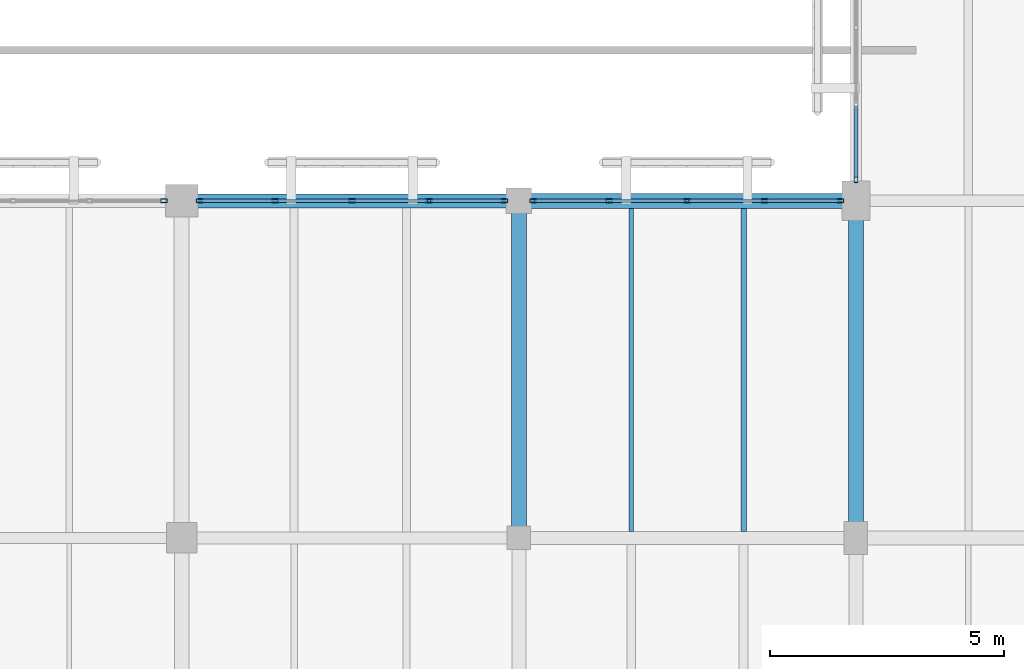
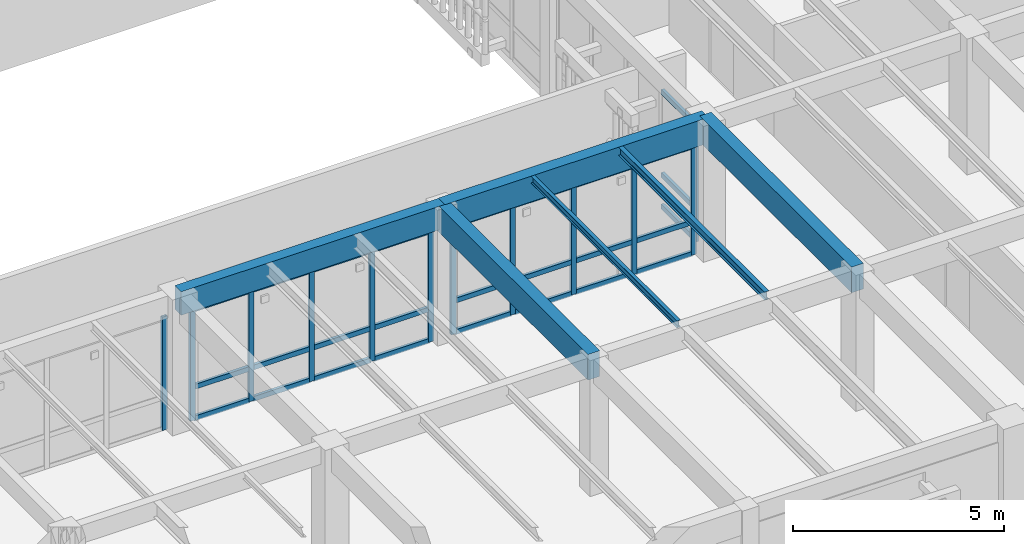
# One storey, part 98 of 170: 39 members, 6 beams, 4 elements without a shape of their own.
"""IFC4 building model written with IfcOpenShell, lengths in metres."""

from ifc_helpers import new_model, si_unit, direction, frame, origin, origin_2d, place, context, subcontext, project, spatial, rectangle, hollow_rectangle, i_section, extrude, material, layer, layer_set, material_profile, profile_set, type_object, element, aggregate, save


model = new_model("IFC4")

# Units and contexts
model_context = context("Model", 3, precision=1e-05, world=origin(), true_north=direction((0.0, 1.0)))
body_context = subcontext(model_context, "Body", "Model", "MODEL_VIEW")
ifc_project = project(units=[si_unit("LENGTHUNIT", "METRE"), si_unit("AREAUNIT", "SQUARE_METRE"), si_unit("VOLUMEUNIT", "CUBIC_METRE"), si_unit("PLANEANGLEUNIT", "RADIAN"), si_unit("MASSUNIT", "GRAM", prefix="KILO")], contexts=[model_context])

# Site, building, storey
site_placement = place(None, origin())
site = spatial("IfcSite", under=ifc_project, at=site_placement, CompositionType="ELEMENT")
building_placement = place(site_placement, origin())
building = spatial("IfcBuilding", under=site, at=building_placement, Name="Mazaris Harbour Polytechnic", CompositionType="ELEMENT")
storey_placement = place(building_placement, frame((0.0, 0.0, 5.39990234375)))
storey = spatial("IfcBuildingStorey", under=building, at=storey_placement, Name="L01", CompositionType="ELEMENT", Elevation=5.39990234375)

# Curtain wall, member
ifc_material_1 = material(Name="Anodised Bronze Aluminium and Low-E Glass", Category="aluminium")
ifc_layer = layer(ifc_material_1, 0.169921875, Name="Anodised Bronze Aluminium and Low-E Glass")
ifc_layer_set = layer_set([ifc_layer], Name="Anodised Bronze Aluminium and Low-E Glass")
curtain_wall_type = type_object("IfcCurtainWallType", Name="Studio North-Light Curtain Wall", PredefinedType="NOTDEFINED", material=ifc_layer_set)
curtain_wall_1_placement = place(storey_placement, origin())
curtain_wall_1 = element("IfcCurtainWall", 1, at=curtain_wall_1_placement, inside=storey, type_object=curtain_wall_type, Name="V5 L01 Curtain Wall 213", PredefinedType="NOTDEFINED")
ifc_material_2 = material(Name="Anodised Bronze Steel S355", Category="steel")
ifc_material_profile_1 = material_profile(ifc_material_2, hollow_rectangle(XDim=0.080078125, YDim=0.139892578125, WallThickness=0.00634765625, at=origin_2d()), Name="RHS 80x140x6.3")
ifc_profile_set_1 = profile_set([ifc_material_profile_1], Name="Anodised Bronze Steel S355")
member_type_1 = type_object("IfcMemberType", Name="Curtain Mullion RHS80x140", PredefinedType="MULLION", material=ifc_profile_set_1)
member_1_placement = place(storey_placement, frame((143.617919921875, 61.199951171875, 0.0), z_axis=(0.0, 0.0, 1.0), x_axis=(0.0, 1.0, 0.0)))
member_1 = element("IfcMember", 2, at=member_1_placement, type_object=member_type_1, Name="CW-03 mullion 5", PredefinedType="MULLION", context=body_context, shape_type="SweptSolid", body=[
    extrude(hollow_rectangle(XDim=0.080078125, YDim=0.139892578125, WallThickness=0.00634765625, at=origin_2d()), origin(), (0.0, 0.0, 1.0), 3.27001953125),
])
aggregate(curtain_wall_1, [member_1])

# Curtain wall, members
curtain_wall_2_placement = place(storey_placement, origin())
curtain_wall_2 = element("IfcCurtainWall", 3, at=curtain_wall_2_placement, inside=storey, type_object=curtain_wall_type, Name="V5 L01 Curtain Wall 214", PredefinedType="NOTDEFINED")
member_2_placement = place(storey_placement, frame((144.382080078125, 61.199951171875, 0.0), z_axis=(0.0, 0.0, 1.0), x_axis=(0.0, 1.0, 0.0)))
member_2 = element("IfcMember", 4, at=member_2_placement, type_object=member_type_1, Name="CW-03 mullion 1", PredefinedType="MULLION", context=body_context, shape_type="SweptSolid", body=[
    extrude(hollow_rectangle(XDim=0.080078125, YDim=0.139892578125, WallThickness=0.00634765625, at=origin_2d()), origin(), (0.0, 0.0, 1.0), 3.22998046875),
])
member_3_placement = place(storey_placement, frame((145.98974609375, 61.199951171875, 0.0), z_axis=(0.0, 0.0, 1.0), x_axis=(0.0, 1.0, 0.0)))
member_3 = element("IfcMember", 5, at=member_3_placement, type_object=member_type_1, Name="CW-03 mullion 2", PredefinedType="MULLION", context=body_context, shape_type="SweptSolid", body=[
    extrude(hollow_rectangle(XDim=0.080078125, YDim=0.139892578125, WallThickness=0.00634765625, at=origin_2d()), origin(), (0.0, 0.0, 1.0), 3.22998046875),
])
member_4_placement = place(storey_placement, frame((147.637451171875, 61.199951171875, 0.0), z_axis=(0.0, 0.0, 1.0), x_axis=(0.0, 1.0, 0.0)))
member_4 = element("IfcMember", 6, at=member_4_placement, type_object=member_type_1, Name="CW-03 mullion 3", PredefinedType="MULLION", context=body_context, shape_type="SweptSolid", body=[
    extrude(hollow_rectangle(XDim=0.080078125, YDim=0.139892578125, WallThickness=0.00634765625, at=origin_2d()), origin(), (0.0, 0.0, 1.0), 3.22998046875),
])
member_5_placement = place(storey_placement, frame((149.28515625, 61.199951171875, 0.0), z_axis=(0.0, 0.0, 1.0), x_axis=(0.0, 1.0, 0.0)))
member_5 = element("IfcMember", 7, at=member_5_placement, type_object=member_type_1, Name="CW-03 mullion 4", PredefinedType="MULLION", context=body_context, shape_type="SweptSolid", body=[
    extrude(hollow_rectangle(XDim=0.080078125, YDim=0.139892578125, WallThickness=0.00634765625, at=origin_2d()), origin(), (0.0, 0.0, 1.0), 3.22998046875),
])
member_6_placement = place(storey_placement, frame((150.89306640625, 61.199951171875, 0.0), z_axis=(0.0, 0.0, 1.0), x_axis=(0.0, 1.0, 0.0)))
member_6 = element("IfcMember", 8, at=member_6_placement, type_object=member_type_1, Name="CW-03 mullion 5", PredefinedType="MULLION", context=body_context, shape_type="SweptSolid", body=[
    extrude(hollow_rectangle(XDim=0.080078125, YDim=0.139892578125, WallThickness=0.00634765625, at=origin_2d()), origin(), (0.0, 0.0, 1.0), 3.22998046875),
])

curtain_wall_3_placement = place(storey_placement, origin())
curtain_wall_3 = element("IfcCurtainWall", 9, at=curtain_wall_3_placement, inside=storey, type_object=curtain_wall_type, Name="V5 L01 Curtain Wall 215", PredefinedType="NOTDEFINED")
member_7_placement = place(storey_placement, frame((151.507080078125, 61.199951171875, 0.0), z_axis=(0.0, 0.0, 1.0), x_axis=(0.0, 1.0, 0.0)))
member_7 = element("IfcMember", 10, at=member_7_placement, type_object=member_type_1, Name="CW-03 mullion 1", PredefinedType="MULLION", context=body_context, shape_type="SweptSolid", body=[
    extrude(hollow_rectangle(XDim=0.080078125, YDim=0.139892578125, WallThickness=0.00634765625, at=origin_2d()), origin(), (0.0, 0.0, 1.0), 3.170166015625),
])
member_8_placement = place(storey_placement, frame((153.127197265625, 61.199951171875, 0.0), z_axis=(0.0, 0.0, 1.0), x_axis=(0.0, 1.0, 0.0)))
member_8 = element("IfcMember", 11, at=member_8_placement, type_object=member_type_1, Name="CW-03 mullion 2", PredefinedType="MULLION", context=body_context, shape_type="SweptSolid", body=[
    extrude(hollow_rectangle(XDim=0.080078125, YDim=0.139892578125, WallThickness=0.00634765625, at=origin_2d()), origin(), (0.0, 0.0, 1.0), 3.170166015625),
])
member_9_placement = place(storey_placement, frame((154.78759765625, 61.199951171875, 0.0), z_axis=(0.0, 0.0, 1.0), x_axis=(0.0, 1.0, 0.0)))
member_9 = element("IfcMember", 12, at=member_9_placement, type_object=member_type_1, Name="CW-03 mullion 3", PredefinedType="MULLION", context=body_context, shape_type="SweptSolid", body=[
    extrude(hollow_rectangle(XDim=0.080078125, YDim=0.139892578125, WallThickness=0.00634765625, at=origin_2d()), origin(), (0.0, 0.0, 1.0), 3.170166015625),
])
member_10_placement = place(storey_placement, frame((156.44775390625, 61.199951171875, 0.0), z_axis=(0.0, 0.0, 1.0), x_axis=(0.0, 1.0, 0.0)))
member_10 = element("IfcMember", 13, at=member_10_placement, type_object=member_type_1, Name="CW-03 mullion 4", PredefinedType="MULLION", context=body_context, shape_type="SweptSolid", body=[
    extrude(hollow_rectangle(XDim=0.080078125, YDim=0.139892578125, WallThickness=0.00634765625, at=origin_2d()), origin(), (0.0, 0.0, 1.0), 3.170166015625),
])
member_11_placement = place(storey_placement, frame((158.068115234375, 61.199951171875, 0.0), z_axis=(0.0, 0.0, 1.0), x_axis=(0.0, 1.0, 0.0)))
member_11 = element("IfcMember", 14, at=member_11_placement, type_object=member_type_1, Name="CW-03 mullion 5", PredefinedType="MULLION", context=body_context, shape_type="SweptSolid", body=[
    extrude(hollow_rectangle(XDim=0.080078125, YDim=0.139892578125, WallThickness=0.00634765625, at=origin_2d()), origin(), (0.0, 0.0, 1.0), 3.170166015625),
])

# Curtain wall, member
curtain_wall_4_placement = place(storey_placement, origin())
curtain_wall_4 = element("IfcCurtainWall", 15, at=curtain_wall_4_placement, inside=storey, type_object=curtain_wall_type, Name="V5 L01 Curtain Wall 223", PredefinedType="NOTDEFINED")
member_12_placement = place(storey_placement, frame((158.39990234375, 61.656982421875, 0.0), z_axis=(0.0, 0.0, 1.0), x_axis=(1.0, 0.0, 0.0)))
member_12 = element("IfcMember", 16, at=member_12_placement, type_object=member_type_1, Name="CW-03 mullion 5", PredefinedType="MULLION", context=body_context, shape_type="SweptSolid", body=[
    extrude(hollow_rectangle(XDim=0.080078125, YDim=0.139892578125, WallThickness=0.00634765625, at=origin_2d()), origin(), (0.0, 0.0, 1.0), 3.39013671875),
])

# Member
ifc_material_3 = material(Name="Anodised Bronze Steel S355", Category="steel")
ifc_material_profile_2 = material_profile(ifc_material_3, hollow_rectangle(XDim=0.080078125, YDim=0.139892578125, WallThickness=0.00634765625, at=origin_2d()), Name="RHS 80x140x6.3")
ifc_profile_set_2 = profile_set([ifc_material_profile_2], Name="Anodised Bronze Steel S355")
member_type_2 = type_object("IfcMemberType", Name="Curtain Transom RHS80x140", PredefinedType="USERDEFINED", material=ifc_profile_set_2)
member_13_placement = place(storey_placement, frame((144.422119140625, 61.199951171875, 0.0400390625), z_axis=(1.0, 0.0, 0.0), x_axis=(0.0, 1.0, 0.0)))
member_13 = element("IfcMember", 17, at=member_13_placement, type_object=member_type_2, Name="CW-03 transom 1.1", ObjectType="TRANSOM", PredefinedType="USERDEFINED", context=body_context, shape_type="SweptSolid", body=[
    extrude(hollow_rectangle(XDim=0.080078125, YDim=0.139892578125, WallThickness=0.00634765625, at=origin_2d()), origin(), (0.0, 0.0, 1.0), 1.527587890625),
])

member_14_placement = place(storey_placement, frame((144.422119140625, 61.199951171875, 0.9501953125), z_axis=(1.0, 0.0, 0.0), x_axis=(0.0, 1.0, 0.0)))
member_14 = element("IfcMember", 18, at=member_14_placement, type_object=member_type_2, Name="CW-03 transom 1.2", ObjectType="TRANSOM", PredefinedType="USERDEFINED", context=body_context, shape_type="SweptSolid", body=[
    extrude(hollow_rectangle(XDim=0.080078125, YDim=0.139892578125, WallThickness=0.00634765625, at=origin_2d()), origin(), (0.0, 0.0, 1.0), 1.527587890625),
])

member_15_placement = place(storey_placement, frame((144.422119140625, 61.199951171875, 3.190185546875), z_axis=(1.0, 0.0, 0.0), x_axis=(0.0, 1.0, 0.0)))
member_15 = element("IfcMember", 19, at=member_15_placement, type_object=member_type_2, Name="CW-03 transom 1.3", ObjectType="TRANSOM", PredefinedType="USERDEFINED", context=body_context, shape_type="SweptSolid", body=[
    extrude(hollow_rectangle(XDim=0.080078125, YDim=0.139892578125, WallThickness=0.00634765625, at=origin_2d()), origin(), (0.0, 0.0, 1.0), 1.527587890625),
])

member_16_placement = place(storey_placement, frame((146.02978515625, 61.199951171875, 0.0400390625), z_axis=(1.0, 0.0, 0.0), x_axis=(0.0, 1.0, 0.0)))
member_16 = element("IfcMember", 20, at=member_16_placement, type_object=member_type_2, Name="CW-03 transom 2.1", ObjectType="TRANSOM", PredefinedType="USERDEFINED", context=body_context, shape_type="SweptSolid", body=[
    extrude(hollow_rectangle(XDim=0.080078125, YDim=0.139892578125, WallThickness=0.00634765625, at=origin_2d()), origin(), (0.0, 0.0, 1.0), 1.567626953125),
])

member_17_placement = place(storey_placement, frame((146.02978515625, 61.199951171875, 0.9501953125), z_axis=(1.0, 0.0, 0.0), x_axis=(0.0, 1.0, 0.0)))
member_17 = element("IfcMember", 21, at=member_17_placement, type_object=member_type_2, Name="CW-03 transom 2.2", ObjectType="TRANSOM", PredefinedType="USERDEFINED", context=body_context, shape_type="SweptSolid", body=[
    extrude(hollow_rectangle(XDim=0.080078125, YDim=0.139892578125, WallThickness=0.00634765625, at=origin_2d()), origin(), (0.0, 0.0, 1.0), 1.567626953125),
])

member_18_placement = place(storey_placement, frame((146.02978515625, 61.199951171875, 3.190185546875), z_axis=(1.0, 0.0, 0.0), x_axis=(0.0, 1.0, 0.0)))
member_18 = element("IfcMember", 22, at=member_18_placement, type_object=member_type_2, Name="CW-03 transom 2.3", ObjectType="TRANSOM", PredefinedType="USERDEFINED", context=body_context, shape_type="SweptSolid", body=[
    extrude(hollow_rectangle(XDim=0.080078125, YDim=0.139892578125, WallThickness=0.00634765625, at=origin_2d()), origin(), (0.0, 0.0, 1.0), 1.567626953125),
])

member_19_placement = place(storey_placement, frame((147.677490234375, 61.199951171875, 0.0400390625), z_axis=(1.0, 0.0, 0.0), x_axis=(0.0, 1.0, 0.0)))
member_19 = element("IfcMember", 23, at=member_19_placement, type_object=member_type_2, Name="CW-03 transom 3.1", ObjectType="TRANSOM", PredefinedType="USERDEFINED", context=body_context, shape_type="SweptSolid", body=[
    extrude(hollow_rectangle(XDim=0.080078125, YDim=0.139892578125, WallThickness=0.00634765625, at=origin_2d()), origin(), (0.0, 0.0, 1.0), 1.56787109375),
])

member_20_placement = place(storey_placement, frame((147.677490234375, 61.199951171875, 0.9501953125), z_axis=(1.0, 0.0, 0.0), x_axis=(0.0, 1.0, 0.0)))
member_20 = element("IfcMember", 24, at=member_20_placement, type_object=member_type_2, Name="CW-03 transom 3.2", ObjectType="TRANSOM", PredefinedType="USERDEFINED", context=body_context, shape_type="SweptSolid", body=[
    extrude(hollow_rectangle(XDim=0.080078125, YDim=0.139892578125, WallThickness=0.00634765625, at=origin_2d()), origin(), (0.0, 0.0, 1.0), 1.56787109375),
])

member_21_placement = place(storey_placement, frame((147.677490234375, 61.199951171875, 3.190185546875), z_axis=(1.0, 0.0, 0.0), x_axis=(0.0, 1.0, 0.0)))
member_21 = element("IfcMember", 25, at=member_21_placement, type_object=member_type_2, Name="CW-03 transom 3.3", ObjectType="TRANSOM", PredefinedType="USERDEFINED", context=body_context, shape_type="SweptSolid", body=[
    extrude(hollow_rectangle(XDim=0.080078125, YDim=0.139892578125, WallThickness=0.00634765625, at=origin_2d()), origin(), (0.0, 0.0, 1.0), 1.56787109375),
])

member_22_placement = place(storey_placement, frame((149.3251953125, 61.199951171875, 0.0400390625), z_axis=(1.0, 0.0, 0.0), x_axis=(0.0, 1.0, 0.0)))
member_22 = element("IfcMember", 26, at=member_22_placement, type_object=member_type_2, Name="CW-03 transom 4.1", ObjectType="TRANSOM", PredefinedType="USERDEFINED", context=body_context, shape_type="SweptSolid", body=[
    extrude(hollow_rectangle(XDim=0.080078125, YDim=0.139892578125, WallThickness=0.00634765625, at=origin_2d()), origin(), (0.0, 0.0, 1.0), 1.52783203125),
])

member_23_placement = place(storey_placement, frame((149.3251953125, 61.199951171875, 0.9501953125), z_axis=(1.0, 0.0, 0.0), x_axis=(0.0, 1.0, 0.0)))
member_23 = element("IfcMember", 27, at=member_23_placement, type_object=member_type_2, Name="CW-03 transom 4.2", ObjectType="TRANSOM", PredefinedType="USERDEFINED", context=body_context, shape_type="SweptSolid", body=[
    extrude(hollow_rectangle(XDim=0.080078125, YDim=0.139892578125, WallThickness=0.00634765625, at=origin_2d()), origin(), (0.0, 0.0, 1.0), 1.52783203125),
])

member_24_placement = place(storey_placement, frame((149.3251953125, 61.199951171875, 3.190185546875), z_axis=(1.0, 0.0, 0.0), x_axis=(0.0, 1.0, 0.0)))
member_24 = element("IfcMember", 28, at=member_24_placement, type_object=member_type_2, Name="CW-03 transom 4.3", ObjectType="TRANSOM", PredefinedType="USERDEFINED", context=body_context, shape_type="SweptSolid", body=[
    extrude(hollow_rectangle(XDim=0.080078125, YDim=0.139892578125, WallThickness=0.00634765625, at=origin_2d()), origin(), (0.0, 0.0, 1.0), 1.52783203125),
])

aggregate(curtain_wall_2, [member_2, member_3, member_4, member_5, member_6, member_13, member_14, member_15, member_16, member_17, member_18, member_19, member_20, member_21, member_22, member_23, member_24])

member_25_placement = place(storey_placement, frame((151.547119140625, 61.199951171875, 0.0400390625), z_axis=(1.0, 0.0, 0.0), x_axis=(0.0, 1.0, 0.0)))
member_25 = element("IfcMember", 29, at=member_25_placement, type_object=member_type_2, Name="CW-03 transom 1.1", ObjectType="TRANSOM", PredefinedType="USERDEFINED", context=body_context, shape_type="SweptSolid", body=[
    extrude(hollow_rectangle(XDim=0.080078125, YDim=0.139892578125, WallThickness=0.00634765625, at=origin_2d()), origin(), (0.0, 0.0, 1.0), 1.5400390625),
])

member_26_placement = place(storey_placement, frame((151.547119140625, 61.199951171875, 0.9501953125), z_axis=(1.0, 0.0, 0.0), x_axis=(0.0, 1.0, 0.0)))
member_26 = element("IfcMember", 30, at=member_26_placement, type_object=member_type_2, Name="CW-03 transom 1.2", ObjectType="TRANSOM", PredefinedType="USERDEFINED", context=body_context, shape_type="SweptSolid", body=[
    extrude(hollow_rectangle(XDim=0.080078125, YDim=0.139892578125, WallThickness=0.00634765625, at=origin_2d()), origin(), (0.0, 0.0, 1.0), 1.5400390625),
])

member_27_placement = place(storey_placement, frame((151.547119140625, 61.199951171875, 3.130126953125), z_axis=(1.0, 0.0, 0.0), x_axis=(0.0, 1.0, 0.0)))
member_27 = element("IfcMember", 31, at=member_27_placement, type_object=member_type_2, Name="CW-03 transom 1.3", ObjectType="TRANSOM", PredefinedType="USERDEFINED", context=body_context, shape_type="SweptSolid", body=[
    extrude(hollow_rectangle(XDim=0.080078125, YDim=0.139892578125, WallThickness=0.00634765625, at=origin_2d()), origin(), (0.0, 0.0, 1.0), 1.5400390625),
])

member_28_placement = place(storey_placement, frame((153.167236328125, 61.199951171875, 0.0400390625), z_axis=(1.0, 0.0, 0.0), x_axis=(0.0, 1.0, 0.0)))
member_28 = element("IfcMember", 32, at=member_28_placement, type_object=member_type_2, Name="CW-03 transom 2.1", ObjectType="TRANSOM", PredefinedType="USERDEFINED", context=body_context, shape_type="SweptSolid", body=[
    extrude(hollow_rectangle(XDim=0.080078125, YDim=0.139892578125, WallThickness=0.00634765625, at=origin_2d()), origin(), (0.0, 0.0, 1.0), 1.580322265625),
])

member_29_placement = place(storey_placement, frame((153.167236328125, 61.199951171875, 0.9501953125), z_axis=(1.0, 0.0, 0.0), x_axis=(0.0, 1.0, 0.0)))
member_29 = element("IfcMember", 33, at=member_29_placement, type_object=member_type_2, Name="CW-03 transom 2.2", ObjectType="TRANSOM", PredefinedType="USERDEFINED", context=body_context, shape_type="SweptSolid", body=[
    extrude(hollow_rectangle(XDim=0.080078125, YDim=0.139892578125, WallThickness=0.00634765625, at=origin_2d()), origin(), (0.0, 0.0, 1.0), 1.580322265625),
])

member_30_placement = place(storey_placement, frame((153.167236328125, 61.199951171875, 3.130126953125), z_axis=(1.0, 0.0, 0.0), x_axis=(0.0, 1.0, 0.0)))
member_30 = element("IfcMember", 34, at=member_30_placement, type_object=member_type_2, Name="CW-03 transom 2.3", ObjectType="TRANSOM", PredefinedType="USERDEFINED", context=body_context, shape_type="SweptSolid", body=[
    extrude(hollow_rectangle(XDim=0.080078125, YDim=0.139892578125, WallThickness=0.00634765625, at=origin_2d()), origin(), (0.0, 0.0, 1.0), 1.580322265625),
])

member_31_placement = place(storey_placement, frame((154.827392578125, 61.199951171875, 0.0400390625), z_axis=(1.0, 0.0, 0.0), x_axis=(0.0, 1.0, 0.0)))
member_31 = element("IfcMember", 35, at=member_31_placement, type_object=member_type_2, Name="CW-03 transom 3.1", ObjectType="TRANSOM", PredefinedType="USERDEFINED", context=body_context, shape_type="SweptSolid", body=[
    extrude(hollow_rectangle(XDim=0.080078125, YDim=0.139892578125, WallThickness=0.00634765625, at=origin_2d()), origin(), (0.0, 0.0, 1.0), 1.580322265625),
])

member_32_placement = place(storey_placement, frame((154.827392578125, 61.199951171875, 0.9501953125), z_axis=(1.0, 0.0, 0.0), x_axis=(0.0, 1.0, 0.0)))
member_32 = element("IfcMember", 36, at=member_32_placement, type_object=member_type_2, Name="CW-03 transom 3.2", ObjectType="TRANSOM", PredefinedType="USERDEFINED", context=body_context, shape_type="SweptSolid", body=[
    extrude(hollow_rectangle(XDim=0.080078125, YDim=0.139892578125, WallThickness=0.00634765625, at=origin_2d()), origin(), (0.0, 0.0, 1.0), 1.580322265625),
])

member_33_placement = place(storey_placement, frame((154.827392578125, 61.199951171875, 3.130126953125), z_axis=(1.0, 0.0, 0.0), x_axis=(0.0, 1.0, 0.0)))
member_33 = element("IfcMember", 37, at=member_33_placement, type_object=member_type_2, Name="CW-03 transom 3.3", ObjectType="TRANSOM", PredefinedType="USERDEFINED", context=body_context, shape_type="SweptSolid", body=[
    extrude(hollow_rectangle(XDim=0.080078125, YDim=0.139892578125, WallThickness=0.00634765625, at=origin_2d()), origin(), (0.0, 0.0, 1.0), 1.580322265625),
])

member_34_placement = place(storey_placement, frame((156.48779296875, 61.199951171875, 0.0400390625), z_axis=(1.0, 0.0, 0.0), x_axis=(0.0, 1.0, 0.0)))
member_34 = element("IfcMember", 38, at=member_34_placement, type_object=member_type_2, Name="CW-03 transom 4.1", ObjectType="TRANSOM", PredefinedType="USERDEFINED", context=body_context, shape_type="SweptSolid", body=[
    extrude(hollow_rectangle(XDim=0.080078125, YDim=0.139892578125, WallThickness=0.00634765625, at=origin_2d()), origin(), (0.0, 0.0, 1.0), 1.540283203125),
])

member_35_placement = place(storey_placement, frame((156.48779296875, 61.199951171875, 0.9501953125), z_axis=(1.0, 0.0, 0.0), x_axis=(0.0, 1.0, 0.0)))
member_35 = element("IfcMember", 39, at=member_35_placement, type_object=member_type_2, Name="CW-03 transom 4.2", ObjectType="TRANSOM", PredefinedType="USERDEFINED", context=body_context, shape_type="SweptSolid", body=[
    extrude(hollow_rectangle(XDim=0.080078125, YDim=0.139892578125, WallThickness=0.00634765625, at=origin_2d()), origin(), (0.0, 0.0, 1.0), 1.540283203125),
])

member_36_placement = place(storey_placement, frame((156.48779296875, 61.199951171875, 3.130126953125), z_axis=(1.0, 0.0, 0.0), x_axis=(0.0, 1.0, 0.0)))
member_36 = element("IfcMember", 40, at=member_36_placement, type_object=member_type_2, Name="CW-03 transom 4.3", ObjectType="TRANSOM", PredefinedType="USERDEFINED", context=body_context, shape_type="SweptSolid", body=[
    extrude(hollow_rectangle(XDim=0.080078125, YDim=0.139892578125, WallThickness=0.00634765625, at=origin_2d()), origin(), (0.0, 0.0, 1.0), 1.540283203125),
])

aggregate(curtain_wall_3, [member_7, member_8, member_9, member_10, member_11, member_25, member_26, member_27, member_28, member_29, member_30, member_31, member_32, member_33, member_34, member_35, member_36])

member_37_placement = place(storey_placement, frame((158.39990234375, 63.218505859375, 0.0400390625), z_axis=(0.0, -1.0, 0.0), x_axis=(1.0, 0.0, 0.0)))
member_37 = element("IfcMember", 41, at=member_37_placement, type_object=member_type_2, Name="CW-03 transom 4.1", ObjectType="TRANSOM", PredefinedType="USERDEFINED", context=body_context, shape_type="SweptSolid", body=[
    extrude(hollow_rectangle(XDim=0.080078125, YDim=0.139892578125, WallThickness=0.00634765625, at=origin_2d()), origin(), (0.0, 0.0, 1.0), 1.521484375),
])

member_38_placement = place(storey_placement, frame((158.39990234375, 63.218505859375, 0.9501953125), z_axis=(0.0, -1.0, 0.0), x_axis=(1.0, 0.0, 0.0)))
member_38 = element("IfcMember", 42, at=member_38_placement, type_object=member_type_2, Name="CW-03 transom 4.2", ObjectType="TRANSOM", PredefinedType="USERDEFINED", context=body_context, shape_type="SweptSolid", body=[
    extrude(hollow_rectangle(XDim=0.080078125, YDim=0.139892578125, WallThickness=0.00634765625, at=origin_2d()), origin(), (0.0, 0.0, 1.0), 1.521484375),
])

member_39_placement = place(storey_placement, frame((158.39990234375, 63.218505859375, 3.35009765625), z_axis=(0.0, -1.0, 0.0), x_axis=(1.0, 0.0, 0.0)))
member_39 = element("IfcMember", 43, at=member_39_placement, type_object=member_type_2, Name="CW-03 transom 4.3", ObjectType="TRANSOM", PredefinedType="USERDEFINED", context=body_context, shape_type="SweptSolid", body=[
    extrude(hollow_rectangle(XDim=0.080078125, YDim=0.139892578125, WallThickness=0.00634765625, at=origin_2d()), origin(), (0.0, 0.0, 1.0), 1.521484375),
])

aggregate(curtain_wall_4, [member_12, member_37, member_38, member_39])

# Beams
ifc_material_4 = material(Name="Glulam GL32h", Category="wood")
ifc_material_profile_3 = material_profile(ifc_material_4, rectangle(XDim=0.300048828125, YDim=0.679931640625, at=origin_2d()), Name="RECT300x680")
ifc_profile_set_3 = profile_set([ifc_material_profile_3], Name="Glulam GL32h")
beam_type_1 = type_object("IfcBeamType", Name="Glulam Girder 300x680", PredefinedType="BEAM", material=ifc_profile_set_3)
beam_1_placement = place(storey_placement, frame((144.0, 61.199951171875, 3.580078125), z_axis=(1.0, 0.0, 0.0), x_axis=(0.0, 1.0, 0.0)))
element("IfcBeam", 44, at=beam_1_placement, inside=storey, type_object=beam_type_1, Name="V5 L01 Girder 2923", PredefinedType="BEAM", context=body_context, shape_type="SweptSolid", body=[
    extrude(rectangle(XDim=0.300048828125, YDim=0.679931640625, at=origin_2d()), origin(), (0.0, 0.0, 1.0), 7.199951171875),
])
ifc_material_5 = material(Name="Glulam GL32h", Category="wood")
ifc_material_profile_4 = material_profile(ifc_material_5, rectangle(XDim=0.320068359375, YDim=0.739990234375, at=origin_2d()), Name="RECT320x740")
ifc_profile_set_4 = profile_set([ifc_material_profile_4], Name="Glulam GL32h")
beam_type_2 = type_object("IfcBeamType", Name="Glulam Girder 320x740", PredefinedType="BEAM", material=ifc_profile_set_4)
for number, where, z_axis, x_axis, name in (
    (45, (151.199951171875, 61.199951171875, 3.550048828125), (1.0, 0.0, 0.0), (0.0, 1.0, 0.0), "V5 L01 Girder 2924"),
    (46, (151.199951171875, 54.0, 3.550048828125), (0.0, 1.0, 0.0), (-1.0, 0.0, 0.0), "V5 L01 Tie Girder 2999"),
    (47, (158.39990234375, 54.0, 3.550048828125), (0.0, 1.0, 0.0), (-1.0, 0.0, 0.0), "V5 L01 Tie Girder 3004"),
):
    element("IfcBeam", number, at=place(storey_placement, frame(where, z_axis=z_axis, x_axis=x_axis)), inside=storey, type_object=beam_type_2, Name=name, PredefinedType="BEAM", context=body_context, shape_type="SweptSolid", body=[
        extrude(rectangle(XDim=0.320068359375, YDim=0.739990234375, at=origin_2d()), origin(), (0.0, 0.0, 1.0), 7.199951171875),
    ])
ifc_material_6 = material(Name="Steel S355", Category="steel")
ifc_material_profile_5 = material_profile(ifc_material_6, i_section(OverallWidth=0.10009765625, OverallDepth=0.199951171875, WebThickness=0.005615234375, FlangeThickness=0.008544921875, FilletRadius=0.011962890625, at=origin_2d()), Name="IPE 200")
ifc_profile_set_5 = profile_set([ifc_material_profile_5], Name="Steel S355")
beam_type_3 = type_object("IfcBeamType", Name="Steel Joist IPE200", PredefinedType="JOIST", material=ifc_profile_set_5)
beam_2_placement = place(storey_placement, frame((153.60009765625, 54.139892578125, 3.820068359375), z_axis=(0.0, 1.0, 0.0), x_axis=(-1.0, 0.0, 0.0)))
element("IfcBeam", 48, at=beam_2_placement, inside=storey, type_object=beam_type_3, Name="V5 L01 Floor Joist 3080", PredefinedType="JOIST", context=body_context, shape_type="SweptSolid", body=[
    extrude(i_section(OverallWidth=0.10009765625, OverallDepth=0.199951171875, WebThickness=0.005615234375, FlangeThickness=0.008544921875, FilletRadius=0.011962890625, at=origin_2d()), origin(), (0.0, 0.0, 1.0), 6.900146484375),
])
ifc_material_7 = material(Name="Steel S355", Category="steel")
ifc_material_profile_6 = material_profile(ifc_material_7, i_section(OverallWidth=0.1201171875, OverallDepth=0.239990234375, WebThickness=0.006103515625, FlangeThickness=0.009765625, FilletRadius=0.014892578125, at=origin_2d()), Name="IPE 240")
ifc_profile_set_6 = profile_set([ifc_material_profile_6], Name="Steel S355")
beam_type_4 = type_object("IfcBeamType", Name="Steel Joist IPE240", PredefinedType="JOIST", material=ifc_profile_set_6)
beam_3_placement = place(storey_placement, frame((156.0, 54.139892578125, 3.800048828125), z_axis=(0.0, 1.0, 0.0), x_axis=(-1.0, 0.0, 0.0)))
element("IfcBeam", 49, at=beam_3_placement, inside=storey, type_object=beam_type_4, Name="V5 L01 Floor Joist 3081", PredefinedType="JOIST", context=body_context, shape_type="SweptSolid", body=[
    extrude(i_section(OverallWidth=0.1201171875, OverallDepth=0.239990234375, WebThickness=0.006103515625, FlangeThickness=0.009765625, FilletRadius=0.014892578125, at=origin_2d()), origin(), (0.0, 0.0, 1.0), 6.900146484375),
])

save(model, "model.ifc")
